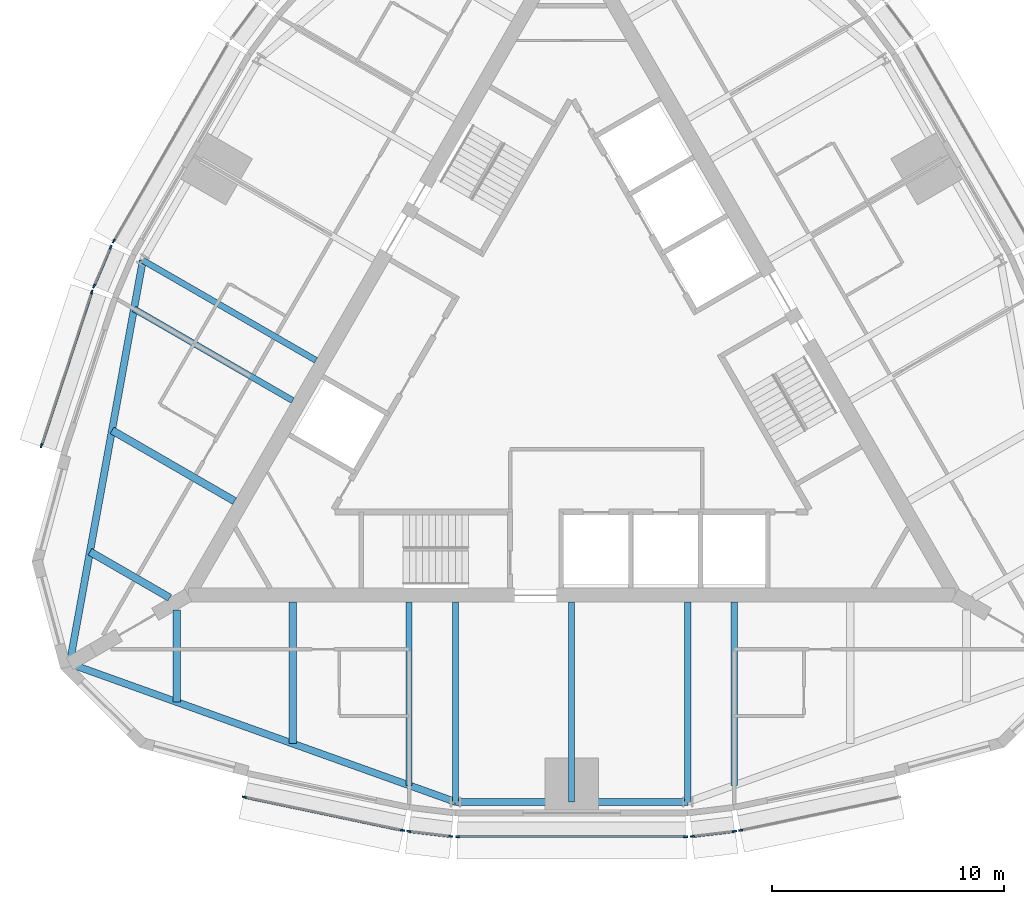
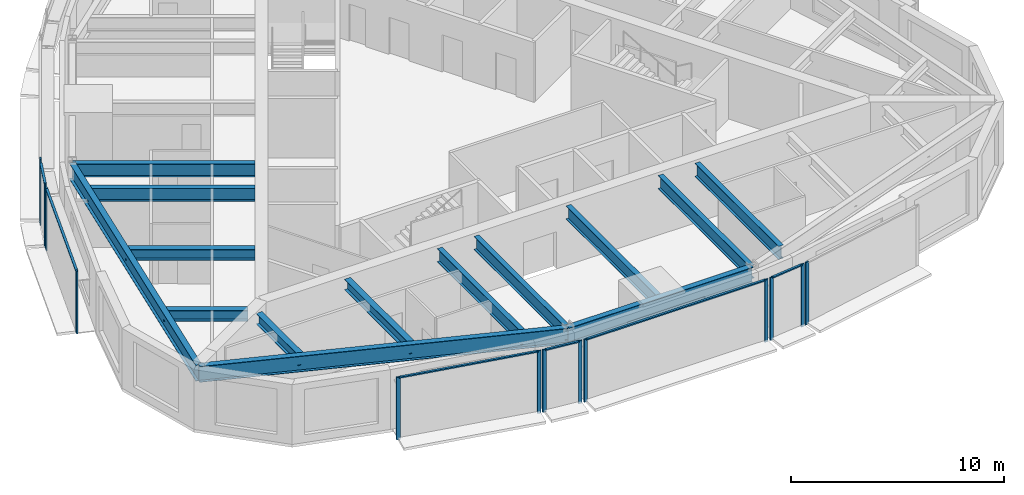
# One storey, part 2 of 12: 20 members, 14 beams, 8 elements without a shape of their own.
"""IFC4 building model written with IfcOpenShell, lengths in metres."""

from ifc_helpers import new_model, si_unit, direction, frame, origin, origin_2d, place, context, subcontext, project, spatial, rectangle, i_section, extrude, material, material_profile, profile_set, type_object, element, aggregate, save


model = new_model("IFC4")

# Units and contexts
model_context = context("Model", 3, precision=1e-05, world=origin(), true_north=direction((0.0, 1.0)))
body_context = subcontext(model_context, "Body", "Model", "MODEL_VIEW")
ifc_project = project(units=[si_unit("LENGTHUNIT", "METRE"), si_unit("AREAUNIT", "SQUARE_METRE"), si_unit("VOLUMEUNIT", "CUBIC_METRE"), si_unit("PLANEANGLEUNIT", "RADIAN"), si_unit("MASSUNIT", "GRAM", prefix="KILO")], contexts=[model_context])

# Site, building, storey
site_placement = place(None, origin())
site = spatial("IfcSite", under=ifc_project, at=site_placement, CompositionType="ELEMENT")
building_placement = place(site_placement, origin())
building = spatial("IfcBuilding", under=site, at=building_placement, Name="Trikona Tower", CompositionType="ELEMENT")
storey_placement = place(building_placement, frame((0.0, 0.0, 253.699951171875)))
storey = spatial("IfcBuildingStorey", under=building, at=storey_placement, Name="L67", CompositionType="ELEMENT", Elevation=253.699951171875)

# Curtain wall, members
ifc_material_1 = material(Name="Aluminium curtain wall system", Category="aluminium")
curtain_wall_type = type_object("IfcCurtainWallType", Name="Curtain wall DS3", PredefinedType="NOTDEFINED", material=ifc_material_1)
curtain_wall_1_placement = place(storey_placement, origin())
curtain_wall_1 = element("IfcCurtainWall", 1, at=curtain_wall_1_placement, inside=storey, type_object=curtain_wall_type, Name="Curtain wall DS3 L67", PredefinedType="NOTDEFINED")
ifc_material_2 = material(Name="Aluminium mullion, pale anodised", Category="aluminium")
ifc_material_profile_1 = material_profile(ifc_material_2, rectangle(XDim=0.070068359375, YDim=0.179931640625, at=origin_2d()), Name="MUL-DS3")
ifc_profile_set_1 = profile_set([ifc_material_profile_1], Name="Aluminium mullion, pale anodised")
member_type_1 = type_object("IfcMemberType", Name="Mullion DS3 70x180", PredefinedType="MULLION", material=ifc_profile_set_1)
member_1_placement = place(storey_placement, frame((-14.092041015625, -18.220703125, 0.0), z_axis=(0.0, 0.0, 1.0), x_axis=(0.205527448396, 0.978651351583, 0.0)))
member_1 = element("IfcMember", 2, at=member_1_placement, type_object=member_type_1, Name="CW-DS3 mullion 1", PredefinedType="MULLION", context=body_context, shape_type="SweptSolid", body=[
    extrude(rectangle(XDim=0.070068359375, YDim=0.179931640625, at=origin_2d()), origin(), (0.0, 0.0, 1.0), 3.60009765625),
])
member_2_placement = place(storey_placement, frame((-7.27783203125, -19.65185546875, 0.0), z_axis=(0.0, 0.0, 1.0), x_axis=(0.205527448396, 0.978651351583, 0.0)))
member_2 = element("IfcMember", 3, at=member_2_placement, type_object=member_type_1, Name="CW-DS3 mullion 2", PredefinedType="MULLION", context=body_context, shape_type="SweptSolid", body=[
    extrude(rectangle(XDim=0.070068359375, YDim=0.179931640625, at=origin_2d()), origin(), (0.0, 0.0, 1.0), 3.60009765625),
])

curtain_wall_2_placement = place(storey_placement, origin())
curtain_wall_2 = element("IfcCurtainWall", 4, at=curtain_wall_2_placement, inside=storey, type_object=curtain_wall_type, Name="Curtain wall DS3 L67", PredefinedType="NOTDEFINED")
member_3_placement = place(storey_placement, frame((-7.012939453125, -19.6953125, 0.0), z_axis=(0.0, 0.0, 1.0), x_axis=(0.119141057581, 0.992877338043, 0.0)))
member_3 = element("IfcMember", 5, at=member_3_placement, type_object=member_type_1, Name="CW-DS3 mullion 1", PredefinedType="MULLION", context=body_context, shape_type="SweptSolid", body=[
    extrude(rectangle(XDim=0.070068359375, YDim=0.179931640625, at=origin_2d()), origin(), (0.0, 0.0, 1.0), 3.60009765625),
])
member_4_placement = place(storey_placement, frame((-5.20166015625, -19.912841796875, 0.0), z_axis=(0.0, 0.0, 1.0), x_axis=(0.119141057581, 0.992877338043, 0.0)))
member_4 = element("IfcMember", 6, at=member_4_placement, type_object=member_type_1, Name="CW-DS3 mullion 2", PredefinedType="MULLION", context=body_context, shape_type="SweptSolid", body=[
    extrude(rectangle(XDim=0.070068359375, YDim=0.179931640625, at=origin_2d()), origin(), (0.0, 0.0, 1.0), 3.60009765625),
])

curtain_wall_3_placement = place(storey_placement, origin())
curtain_wall_3 = element("IfcCurtainWall", 7, at=curtain_wall_3_placement, inside=storey, type_object=curtain_wall_type, Name="Curtain wall DS3 L67", PredefinedType="NOTDEFINED")
member_5_placement = place(storey_placement, frame((-4.905029296875, -19.930419921875, 0.0), z_axis=(0.0, 0.0, 1.0), x_axis=(0.0, 1.0, 0.0)))
member_5 = element("IfcMember", 8, at=member_5_placement, type_object=member_type_1, Name="CW-DS3 mullion 1", PredefinedType="MULLION", context=body_context, shape_type="SweptSolid", body=[
    extrude(rectangle(XDim=0.070068359375, YDim=0.179931640625, at=origin_2d()), origin(), (0.0, 0.0, 1.0), 3.60009765625),
])
member_6_placement = place(storey_placement, frame((4.905029296875, -19.930419921875, 0.0), z_axis=(0.0, 0.0, 1.0), x_axis=(0.0, 1.0, 0.0)))
member_6 = element("IfcMember", 9, at=member_6_placement, type_object=member_type_1, Name="CW-DS3 mullion 2", PredefinedType="MULLION", context=body_context, shape_type="SweptSolid", body=[
    extrude(rectangle(XDim=0.070068359375, YDim=0.179931640625, at=origin_2d()), origin(), (0.0, 0.0, 1.0), 3.60009765625),
])

curtain_wall_4_placement = place(storey_placement, origin())
curtain_wall_4 = element("IfcCurtainWall", 10, at=curtain_wall_4_placement, inside=storey, type_object=curtain_wall_type, Name="Curtain wall DS3 L67", PredefinedType="NOTDEFINED")
member_7_placement = place(storey_placement, frame((5.20166015625, -19.912841796875, 0.0), z_axis=(0.0, 0.0, 1.0), x_axis=(-0.119141057581, 0.992877338043, 0.0)))
member_7 = element("IfcMember", 11, at=member_7_placement, type_object=member_type_1, Name="CW-DS3 mullion 1", PredefinedType="MULLION", context=body_context, shape_type="SweptSolid", body=[
    extrude(rectangle(XDim=0.070068359375, YDim=0.179931640625, at=origin_2d()), origin(), (0.0, 0.0, 1.0), 3.60009765625),
])
member_8_placement = place(storey_placement, frame((7.012939453125, -19.6953125, 0.0), z_axis=(0.0, 0.0, 1.0), x_axis=(-0.119141057581, 0.992877338043, 0.0)))
member_8 = element("IfcMember", 12, at=member_8_placement, type_object=member_type_1, Name="CW-DS3 mullion 2", PredefinedType="MULLION", context=body_context, shape_type="SweptSolid", body=[
    extrude(rectangle(XDim=0.070068359375, YDim=0.179931640625, at=origin_2d()), origin(), (0.0, 0.0, 1.0), 3.60009765625),
])

# Curtain wall, member
curtain_wall_5_placement = place(storey_placement, origin())
curtain_wall_5 = element("IfcCurtainWall", 13, at=curtain_wall_5_placement, inside=storey, type_object=curtain_wall_type, Name="Curtain wall DS3 L67", PredefinedType="NOTDEFINED")
member_9_placement = place(storey_placement, frame((7.27783203125, -19.65185546875, 0.0), z_axis=(0.0, 0.0, 1.0), x_axis=(-0.205527448396, 0.978651351583, 0.0)))
member_9 = element("IfcMember", 14, at=member_9_placement, type_object=member_type_1, Name="CW-DS3 mullion 1", PredefinedType="MULLION", context=body_context, shape_type="SweptSolid", body=[
    extrude(rectangle(XDim=0.070068359375, YDim=0.179931640625, at=origin_2d()), origin(), (0.0, 0.0, 1.0), 3.60009765625),
])
aggregate(curtain_wall_5, [member_9])

curtain_wall_6_placement = place(storey_placement, origin())
curtain_wall_6 = element("IfcCurtainWall", 15, at=curtain_wall_6_placement, inside=storey, type_object=curtain_wall_type, Name="Curtain wall DS3 L67", PredefinedType="NOTDEFINED")
member_10_placement = place(storey_placement, frame((-19.712890625, 5.717529296875, 0.0), z_axis=(0.0, 0.0, 1.0), x_axis=(0.866024619633, -0.500001358187, 0.0)))
member_10 = element("IfcMember", 16, at=member_10_placement, type_object=member_type_1, Name="CW-DS3 mullion 2", PredefinedType="MULLION", context=body_context, shape_type="SweptSolid", body=[
    extrude(rectangle(XDim=0.070068359375, YDim=0.179931640625, at=origin_2d()), origin(), (0.0, 0.0, 1.0), 3.60009765625),
])
aggregate(curtain_wall_6, [member_10])

# Curtain wall, members
curtain_wall_7_placement = place(storey_placement, origin())
curtain_wall_7 = element("IfcCurtainWall", 17, at=curtain_wall_7_placement, inside=storey, type_object=curtain_wall_type, Name="Curtain wall DS3 L67", PredefinedType="NOTDEFINED")
member_11_placement = place(storey_placement, frame((-19.845703125, 5.45166015625, 0.0), z_axis=(0.0, 0.0, 1.0), x_axis=(0.919420580163, -0.393275726143, 0.0)))
member_11 = element("IfcMember", 18, at=member_11_placement, type_object=member_type_1, Name="CW-DS3 mullion 1", PredefinedType="MULLION", context=body_context, shape_type="SweptSolid", body=[
    extrude(rectangle(XDim=0.070068359375, YDim=0.179931640625, at=origin_2d()), origin(), (0.0, 0.0, 1.0), 3.60009765625),
])
member_12_placement = place(storey_placement, frame((-20.563232421875, 3.7744140625, 0.0), z_axis=(0.0, 0.0, 1.0), x_axis=(0.919420580163, -0.393275726143, 0.0)))
member_12 = element("IfcMember", 19, at=member_12_placement, type_object=member_type_1, Name="CW-DS3 mullion 2", PredefinedType="MULLION", context=body_context, shape_type="SweptSolid", body=[
    extrude(rectangle(XDim=0.070068359375, YDim=0.179931640625, at=origin_2d()), origin(), (0.0, 0.0, 1.0), 3.60009765625),
])

curtain_wall_8_placement = place(storey_placement, origin())
curtain_wall_8 = element("IfcCurtainWall", 20, at=curtain_wall_8_placement, inside=storey, type_object=curtain_wall_type, Name="Curtain wall DS3 L67", PredefinedType="NOTDEFINED")
member_13_placement = place(storey_placement, frame((-20.657958984375, 3.52294921875, 0.0), z_axis=(0.0, 0.0, 1.0), x_axis=(0.95029742275, -0.311343553515, 0.0)))
member_13 = element("IfcMember", 21, at=member_13_placement, type_object=member_type_1, Name="CW-DS3 mullion 1", PredefinedType="MULLION", context=body_context, shape_type="SweptSolid", body=[
    extrude(rectangle(XDim=0.070068359375, YDim=0.179931640625, at=origin_2d()), origin(), (0.0, 0.0, 1.0), 3.60009765625),
])
member_14_placement = place(storey_placement, frame((-22.82568359375, -3.09375, 0.0), z_axis=(0.0, 0.0, 1.0), x_axis=(0.95029742275, -0.311343553515, 0.0)))
member_14 = element("IfcMember", 22, at=member_14_placement, type_object=member_type_1, Name="CW-DS3 mullion 2", PredefinedType="MULLION", context=body_context, shape_type="SweptSolid", body=[
    extrude(rectangle(XDim=0.070068359375, YDim=0.179931640625, at=origin_2d()), origin(), (0.0, 0.0, 1.0), 3.60009765625),
])

# Beams
ifc_material_3 = material(Name="Steel ASTM A992 Grade 50", Category="steel")
ifc_material_profile_2 = material_profile(ifc_material_3, i_section(OverallWidth=0.3251953125, OverallDepth=0.612060546875, WebThickness=0.0126953125, FlangeThickness=0.01904296875, at=origin_2d()), Name="W24X104")
ifc_profile_set_2 = profile_set([ifc_material_profile_2], Name="Steel ASTM A992 Grade 50")
beam_type_1 = type_object("IfcBeamType", Name="Steel beam W24x104 (wedge upper)", PredefinedType="BEAM", material=ifc_profile_set_2)
beam_1_placement = place(storey_placement, frame((-17.0, -10.161376953125, 3.12890625), z_axis=(0.0, -1.0, 0.0), x_axis=(1.0, 0.0, 0.0)))
element("IfcBeam", 23, at=beam_1_placement, inside=storey, type_object=beam_type_1, Name="Floor beam L68 F1 u-17", PredefinedType="BEAM", context=body_context, shape_type="SweptSolid", body=[
    extrude(i_section(OverallWidth=0.3251953125, OverallDepth=0.612060546875, WebThickness=0.0126953125, FlangeThickness=0.01904296875, at=origin_2d()), origin(), (0.0, 0.0, 1.0), 3.9677734375),
])
beam_2_placement = place(storey_placement, frame((-12.0, -9.826416015625, 3.12890625), z_axis=(0.0, -1.0, 0.0), x_axis=(1.0, 0.0, 0.0)))
element("IfcBeam", 24, at=beam_2_placement, inside=storey, type_object=beam_type_1, Name="Floor beam L68 F1 u-12", PredefinedType="BEAM", context=body_context, shape_type="SweptSolid", body=[
    extrude(i_section(OverallWidth=0.3251953125, OverallDepth=0.612060546875, WebThickness=0.0126953125, FlangeThickness=0.01904296875, at=origin_2d()), origin(), (0.0, 0.0, 1.0), 6.094970703125),
])
beam_3_placement = place(storey_placement, frame((-14.509765625, -5.479248046875, 3.12890625), z_axis=(-0.866023498866, 0.500003299401, 0.0), x_axis=(-0.500003299401, -0.866023498866, 0.0)))
element("IfcBeam", 25, at=beam_3_placement, inside=storey, type_object=beam_type_1, Name="Floor beam L68 F3 u12", PredefinedType="BEAM", context=body_context, shape_type="SweptSolid", body=[
    extrude(i_section(OverallWidth=0.3251953125, OverallDepth=0.612060546875, WebThickness=0.0126953125, FlangeThickness=0.01904296875, at=origin_2d()), origin(), (0.0, 0.0, 1.0), 6.09521484375),
])
beam_4_placement = place(storey_placement, frame((-17.300048828125, -9.6416015625, 3.12890625), z_axis=(-0.866030866614, 0.499990537983, 0.0), x_axis=(-0.499990537983, -0.866030866614, 0.0)))
element("IfcBeam", 26, at=beam_4_placement, inside=storey, type_object=beam_type_1, Name="Floor beam L68 F3 u17", PredefinedType="BEAM", context=body_context, shape_type="SweptSolid", body=[
    extrude(i_section(OverallWidth=0.3251953125, OverallDepth=0.612060546875, WebThickness=0.0126953125, FlangeThickness=0.01904296875, at=origin_2d()), origin(), (0.0, 0.0, 1.0), 3.9677734375),
])
ifc_material_4 = material(Name="Steel ASTM A992 Grade 50", Category="steel")
ifc_material_profile_3 = material_profile(ifc_material_4, i_section(OverallWidth=0.2666015625, OverallDepth=0.7568359375, WebThickness=0.013916015625, FlangeThickness=0.019287109375, at=origin_2d()), Name="W30X108")
ifc_profile_set_3 = profile_set([ifc_material_profile_3], Name="Steel ASTM A992 Grade 50")
beam_type_2 = type_object("IfcBeamType", Name="Steel beam W30x108 (radial upper)", PredefinedType="BEAM", material=ifc_profile_set_3)
beam_5_placement = place(storey_placement, frame((-7.0, -9.826416015625, 3.056640625), z_axis=(0.0, -1.0, 0.0), x_axis=(1.0, 0.0, 0.0)))
element("IfcBeam", 27, at=beam_5_placement, inside=storey, type_object=beam_type_2, Name="Floor beam L68 F1 u-7", PredefinedType="BEAM", context=body_context, shape_type="SweptSolid", body=[
    extrude(i_section(OverallWidth=0.2666015625, OverallDepth=0.7568359375, WebThickness=0.013916015625, FlangeThickness=0.019287109375, at=origin_2d()), origin(), (0.0, 0.0, 1.0), 7.88720703125),
])
for number, where, z_axis, x_axis, name in (
    (28, (-5.0, -9.826416015625, 3.056640625), (0.0, -1.0, 0.0), (1.0, 0.0, 0.0), "Floor beam L68 F1 u-5"),
    (29, (0.0, -9.826416015625, 3.056640625), (0.0, -1.0, 0.0), (1.0, 0.0, 0.0), "Floor beam L68 F1 u0"),
    (30, (5.0, -9.826416015625, 3.056640625), (0.0, -1.0, 0.0), (1.0, 0.0, 0.0), "Floor beam L68 F1 u5"),
):
    element("IfcBeam", number, at=place(storey_placement, frame(where, z_axis=z_axis, x_axis=x_axis)), inside=storey, type_object=beam_type_2, Name=name, PredefinedType="BEAM", context=body_context, shape_type="SweptSolid", body=[
        extrude(i_section(OverallWidth=0.2666015625, OverallDepth=0.7568359375, WebThickness=0.013916015625, FlangeThickness=0.019287109375, at=origin_2d()), origin(), (0.0, 0.0, 1.0), 8.60400390625),
    ])
beam_6_placement = place(storey_placement, frame((7.0, -9.826416015625, 3.056640625), z_axis=(0.0, -1.0, 0.0), x_axis=(1.0, 0.0, 0.0)))
element("IfcBeam", 31, at=beam_6_placement, inside=storey, type_object=beam_type_2, Name="Floor beam L68 F1 u7", PredefinedType="BEAM", context=body_context, shape_type="SweptSolid", body=[
    extrude(i_section(OverallWidth=0.2666015625, OverallDepth=0.7568359375, WebThickness=0.013916015625, FlangeThickness=0.019287109375, at=origin_2d()), origin(), (0.0, 0.0, 1.0), 7.88720703125),
])
beam_7_placement = place(storey_placement, frame((-11.009765625, 0.5830078125, 3.056640625), z_axis=(-0.866029182723, 0.49999345463, 0.0), x_axis=(-0.49999345463, -0.866029182723, 0.0)))
element("IfcBeam", 32, at=beam_7_placement, inside=storey, type_object=beam_type_2, Name="Floor beam L68 F3 u5", PredefinedType="BEAM", context=body_context, shape_type="SweptSolid", body=[
    extrude(i_section(OverallWidth=0.2666015625, OverallDepth=0.7568359375, WebThickness=0.013916015625, FlangeThickness=0.019287109375, at=origin_2d()), origin(), (0.0, 0.0, 1.0), 8.60400390625),
])
beam_8_placement = place(storey_placement, frame((-12.009765625, -1.14892578125, 3.056640625), z_axis=(-0.866034560358, 0.499984140014, 0.0), x_axis=(-0.499984140014, -0.866034560358, 0.0)))
element("IfcBeam", 33, at=beam_8_placement, inside=storey, type_object=beam_type_2, Name="Floor beam L68 F3 u7", PredefinedType="BEAM", context=body_context, shape_type="SweptSolid", body=[
    extrude(i_section(OverallWidth=0.2666015625, OverallDepth=0.7568359375, WebThickness=0.013916015625, FlangeThickness=0.019287109375, at=origin_2d()), origin(), (0.0, 0.0, 1.0), 7.887451171875),
])
ifc_material_5 = material(Name="Steel ASTM A992 Grade 50", Category="steel")
ifc_material_profile_4 = material_profile(ifc_material_5, i_section(OverallWidth=0.3046875, OverallDepth=0.911865234375, WebThickness=0.015869140625, FlangeThickness=0.02392578125, at=origin_2d()), Name="W36X150")
ifc_profile_set_4 = profile_set([ifc_material_profile_4], Name="Steel ASTM A992 Grade 50")
beam_type_3 = type_object("IfcBeamType", Name="Steel beam W36x150 (spandrel upper)", PredefinedType="SPANDREL", material=ifc_profile_set_4)
beam_9_placement = place(storey_placement, frame((-21.6103515625, -12.476806640625, 2.979248046875), z_axis=(0.941358144832, -0.337409014637, 0.0), x_axis=(0.337409014637, 0.941358144832, 0.0)))
element("IfcBeam", 34, at=beam_9_placement, inside=storey, type_object=beam_type_3, Name="Spandrel beam L68 F1-1", PredefinedType="SPANDREL", context=body_context, shape_type="SweptSolid", body=[
    extrude(i_section(OverallWidth=0.3046875, OverallDepth=0.911865234375, WebThickness=0.015869140625, FlangeThickness=0.02392578125, at=origin_2d()), origin(), (0.0, 0.0, 1.0), 17.64501953125),
])
beam_10_placement = place(storey_placement, frame((-5.0, -18.430419921875, 2.979248046875), z_axis=(1.0, 0.0, 0.0), x_axis=(0.0, 1.0, 0.0)))
element("IfcBeam", 35, at=beam_10_placement, inside=storey, type_object=beam_type_3, Name="Spandrel beam L68 F1-2", PredefinedType="SPANDREL", context=body_context, shape_type="SweptSolid", body=[
    extrude(i_section(OverallWidth=0.3046875, OverallDepth=0.911865234375, WebThickness=0.015869140625, FlangeThickness=0.02392578125, at=origin_2d()), origin(), (0.0, 0.0, 1.0), 10.0),
])
beam_11_placement = place(storey_placement, frame((-18.461181640625, 4.885009765625, 2.979248046875), z_axis=(-0.178472662054, -0.983944870864, 0.0), x_axis=(0.983944870864, -0.178472662054, 0.0)))
element("IfcBeam", 36, at=beam_11_placement, inside=storey, type_object=beam_type_3, Name="Spandrel beam L68 F3-3", PredefinedType="SPANDREL", context=body_context, shape_type="SweptSolid", body=[
    extrude(i_section(OverallWidth=0.3046875, OverallDepth=0.911865234375, WebThickness=0.015869140625, FlangeThickness=0.02392578125, at=origin_2d()), origin(), (0.0, 0.0, 1.0), 17.64501953125),
])

# Member
ifc_material_6 = material(Name="Aluminium transom, pale anodised", Category="aluminium")
ifc_material_profile_5 = material_profile(ifc_material_6, rectangle(XDim=0.1201171875, YDim=0.070068359375, at=origin_2d()), Name="TRN-DS3")
ifc_profile_set_5 = profile_set([ifc_material_profile_5], Name="Aluminium transom, pale anodised")
member_type_2 = type_object("IfcMemberType", Name="Transom DS3 70x120", PredefinedType="USERDEFINED", material=ifc_profile_set_5)
member_15_placement = place(storey_placement, frame((-14.0576171875, -18.22802734375, 3.56494140625), z_axis=(0.978654137783, -0.205514181021, 0.0), x_axis=(0.205514181021, 0.978654137783, 0.0)))
member_15 = element("IfcMember", 37, at=member_15_placement, type_object=member_type_2, Name="CW-DS3 transom 1.1", ObjectType="TRANSOM", PredefinedType="USERDEFINED", context=body_context, shape_type="SweptSolid", body=[
    extrude(rectangle(XDim=0.1201171875, YDim=0.070068359375, at=origin_2d()), origin(), (0.0, 0.0, 1.0), 6.892578125),
])

aggregate(curtain_wall_1, [member_1, member_2, member_15])

member_16_placement = place(storey_placement, frame((-6.978271484375, -19.699462890625, 3.56494140625), z_axis=(0.992880130449, -0.119117784396, 0.0), x_axis=(0.119117784396, 0.992880130449, 0.0)))
member_16 = element("IfcMember", 38, at=member_16_placement, type_object=member_type_2, Name="CW-DS3 transom 1.1", ObjectType="TRANSOM", PredefinedType="USERDEFINED", context=body_context, shape_type="SweptSolid", body=[
    extrude(rectangle(XDim=0.1201171875, YDim=0.070068359375, at=origin_2d()), origin(), (0.0, 0.0, 1.0), 1.75439453125),
])

aggregate(curtain_wall_2, [member_3, member_4, member_16])

member_17_placement = place(storey_placement, frame((-4.8701171875, -19.930419921875, 3.56494140625), z_axis=(1.0, 0.0, 0.0), x_axis=(0.0, 1.0, 0.0)))
member_17 = element("IfcMember", 39, at=member_17_placement, type_object=member_type_2, Name="CW-DS3 transom 1.1", ObjectType="TRANSOM", PredefinedType="USERDEFINED", context=body_context, shape_type="SweptSolid", body=[
    extrude(rectangle(XDim=0.1201171875, YDim=0.070068359375, at=origin_2d()), origin(), (0.0, 0.0, 1.0), 9.740234375),
])

aggregate(curtain_wall_3, [member_5, member_6, member_17])

member_18_placement = place(storey_placement, frame((5.236328125, -19.908447265625, 3.56494140625), z_axis=(0.992880130449, 0.119117784396, 0.0), x_axis=(-0.119117784396, 0.992880130449, 0.0)))
member_18 = element("IfcMember", 40, at=member_18_placement, type_object=member_type_2, Name="CW-DS3 transom 1.1", ObjectType="TRANSOM", PredefinedType="USERDEFINED", context=body_context, shape_type="SweptSolid", body=[
    extrude(rectangle(XDim=0.1201171875, YDim=0.070068359375, at=origin_2d()), origin(), (0.0, 0.0, 1.0), 1.75439453125),
])

aggregate(curtain_wall_4, [member_7, member_8, member_18])

member_19_placement = place(storey_placement, frame((-19.859619140625, 5.41943359375, 3.56494140625), z_axis=(-0.393314512783, -0.919403988481, 0.0), x_axis=(0.919403988481, -0.393314512783, 0.0)))
member_19 = element("IfcMember", 41, at=member_19_placement, type_object=member_type_2, Name="CW-DS3 transom 1.1", ObjectType="TRANSOM", PredefinedType="USERDEFINED", context=body_context, shape_type="SweptSolid", body=[
    extrude(rectangle(XDim=0.1201171875, YDim=0.070068359375, at=origin_2d()), origin(), (0.0, 0.0, 1.0), 1.754150390625),
])

aggregate(curtain_wall_7, [member_11, member_12, member_19])

member_20_placement = place(storey_placement, frame((-20.668701171875, 3.48974609375, 3.56494140625), z_axis=(-0.311346184, -0.950296560926, 0.0), x_axis=(0.950296560926, -0.311346184, 0.0)))
member_20 = element("IfcMember", 42, at=member_20_placement, type_object=member_type_2, Name="CW-DS3 transom 1.1", ObjectType="TRANSOM", PredefinedType="USERDEFINED", context=body_context, shape_type="SweptSolid", body=[
    extrude(rectangle(XDim=0.1201171875, YDim=0.070068359375, at=origin_2d()), origin(), (0.0, 0.0, 1.0), 6.892578125),
])

aggregate(curtain_wall_8, [member_13, member_14, member_20])

save(model, "model.ifc")
